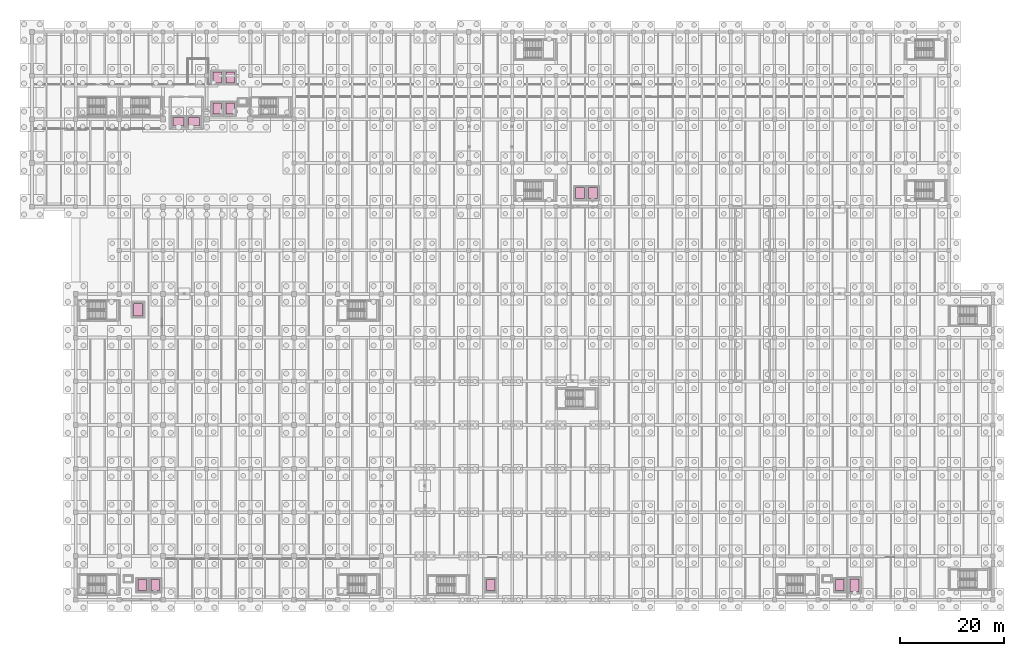
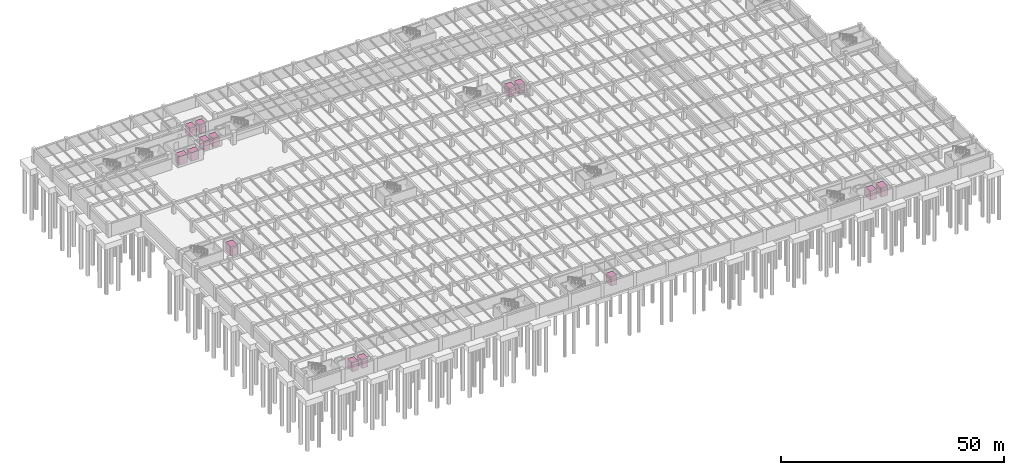
# One storey, part 70 of 70: 14 transport elements.
"""IFC4 building model written with IfcOpenShell, lengths in metres."""

from ifc_helpers import new_model, si_unit, direction, frame, origin, origin_2d, place, context, subcontext, project, spatial, rectangle, extrude, material, type_object, element, save


model = new_model("IFC4")

# Units and contexts
model_context = context("Model", 3, precision=1e-05, world=origin(), true_north=direction((0.0, 1.0)))
body_context = subcontext(model_context, "Body", "Model", "MODEL_VIEW")
ifc_project = project(units=[si_unit("LENGTHUNIT", "METRE"), si_unit("AREAUNIT", "SQUARE_METRE"), si_unit("VOLUMEUNIT", "CUBIC_METRE"), si_unit("PLANEANGLEUNIT", "RADIAN"), si_unit("MASSUNIT", "GRAM", prefix="KILO")], contexts=[model_context])

# Site, building, storey
site_placement = place(None, origin())
site = spatial("IfcSite", under=ifc_project, at=site_placement, CompositionType="ELEMENT")
building_placement = place(site_placement, origin())
building = spatial("IfcBuilding", under=site, at=building_placement, Name="Cumbredor Promenade Congress Hotel", CompositionType="ELEMENT")
storey_placement = place(building_placement, frame((0.0, 0.0, -7.56005859375)))
storey = spatial("IfcBuildingStorey", under=building, at=storey_placement, Name="B02", CompositionType="ELEMENT", Elevation=-7.56005859375)

# Transport elements
ifc_material = material(Name="Brushed stainless steel", Category="steel")
transport_element_type_1 = type_object("IfcTransportElementType", Name="Firefighting Stretcher Elevator Car 2100x1650", PredefinedType="ELEVATOR", material=ifc_material)
for number, where, z_axis, x_axis, name in (
    (1, (28.199951171875, 100.300048828125, 0.0), (0.0, 0.0, 1.0), (1.0, 0.0, 0.0), "Firefighting Lift FF-01"),
    (2, (31.199951171875, 100.300048828125, 0.0), (0.0, 0.0, 1.0), (1.0, 0.0, 0.0), "Firefighting Lift FF-02"),
):
    element("IfcTransportElement", number, at=place(storey_placement, frame(where, z_axis=z_axis, x_axis=x_axis)), inside=storey, type_object=transport_element_type_1, Name=name, PredefinedType="ELEVATOR", context=body_context, shape_type="SweptSolid", body=[
        extrude(rectangle(XDim=2.10009765625, YDim=1.64990234375, at=origin_2d()), origin(), (0.0, 0.0, 1.0), 2.39990234375),
    ])
transport_element_type_2 = type_object("IfcTransportElementType", Name="Passenger Elevator Car 1650x2100", PredefinedType="ELEVATOR", material=ifc_material)
for number, where, z_axis, x_axis, name in (
    (3, (35.60009765625, 108.85009765625, 0.0), (0.0, 0.0, 1.0), (1.0, 0.0, 0.0), "Hotel Passenger Lift PL-01"),
    (4, (38.10009765625, 108.85009765625, 0.0), (0.0, 0.0, 1.0), (1.0, 0.0, 0.0), "Hotel Passenger Lift PL-02"),
    (5, (35.60009765625, 102.85009765625, 0.0), (0.0, 0.0, 1.0), (1.0, 0.0, 0.0), "Hotel Passenger Lift PL-03"),
    (6, (38.10009765625, 102.85009765625, 0.0), (0.0, 0.0, 1.0), (1.0, 0.0, 0.0), "Hotel Passenger Lift PL-04"),
    (7, (21.199951171875, 11.199951171875, 0.0), (0.0, 0.0, 1.0), (1.0, 0.0, 0.0), "Plenary Passenger Lift PL-05"),
    (8, (23.699951171875, 11.199951171875, 0.0), (0.0, 0.0, 1.0), (1.0, 0.0, 0.0), "Plenary Passenger Lift PL-06"),
    (9, (155.39990234375, 11.199951171875, 0.0), (0.0, 0.0, 1.0), (1.0, 0.0, 0.0), "Ballroom Passenger Lift PL-07"),
    (10, (88.199951171875, 11.199951171875, 0.0), (0.0, 0.0, 1.0), (1.0, 0.0, 0.0), "Spa Wellness Lift PL-08"),
    (11, (105.39990234375, 86.60009765625, 0.0), (0.0, 0.0, 1.0), (1.0, 0.0, 0.0), "Forum Congress Lift PL-09"),
    (12, (107.89990234375, 86.60009765625, 0.0), (0.0, 0.0, 1.0), (1.0, 0.0, 0.0), "Forum Congress Lift PL-10"),
):
    element("IfcTransportElement", number, at=place(storey_placement, frame(where, z_axis=z_axis, x_axis=x_axis)), inside=storey, type_object=transport_element_type_2, Name=name, PredefinedType="ELEVATOR", context=body_context, shape_type="SweptSolid", body=[
        extrude(rectangle(XDim=1.64990234375, YDim=2.10009765625, at=origin_2d()), origin(), (0.0, 0.0, 1.0), 2.39990234375),
    ])
transport_element_type_3 = type_object("IfcTransportElementType", Name="Service & Banquet Goods Elevator Car 1800x2400", PredefinedType="ELEVATOR", material=ifc_material)
for number, where, z_axis, x_axis, name in (
    (13, (20.39990234375, 64.199951171875, 0.0), (0.0, 0.0, 1.0), (1.0, 0.0, 0.0), "Plenary Stage Goods Lift SV-01"),
    (14, (158.199951171875, 11.199951171875, 0.0), (0.0, 0.0, 1.0), (1.0, 0.0, 0.0), "Ballroom Service Lift SV-02"),
):
    element("IfcTransportElement", number, at=place(storey_placement, frame(where, z_axis=z_axis, x_axis=x_axis)), inside=storey, type_object=transport_element_type_3, Name=name, PredefinedType="ELEVATOR", context=body_context, shape_type="SweptSolid", body=[
        extrude(rectangle(XDim=1.800048828125, YDim=2.39990234375, at=origin_2d()), origin(), (0.0, 0.0, 1.0), 2.39990234375),
    ])

save(model, "model.ifc")
